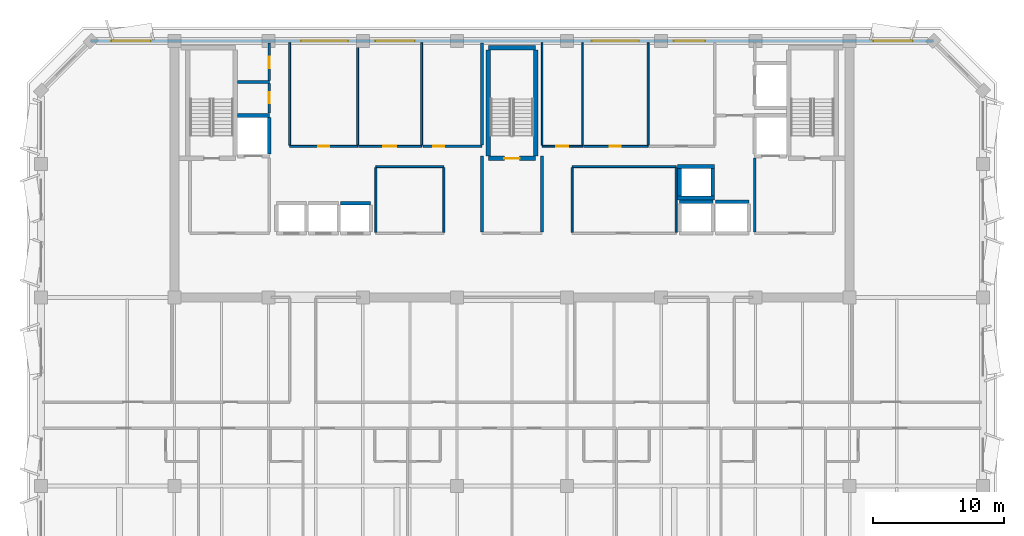
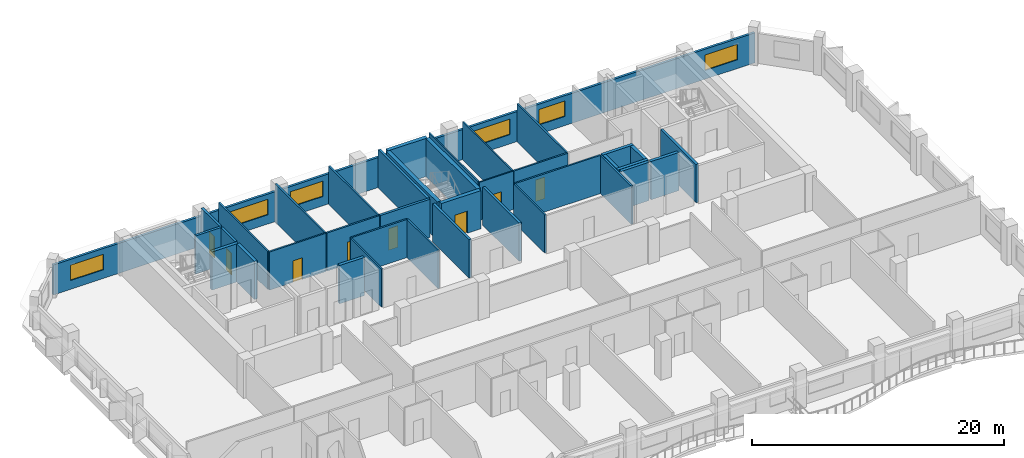
# One storey, part 6 of 11: 38 walls, 8 doors, 6 windows, 14 openings.
"""IFC4 building model written with IfcOpenShell, lengths in metres."""

import ifcopenshell
import ifcopenshell.guid

model = None  # the IFC model being written
_history = None  # IfcOwnerHistory: only IFC2X3 demands one
_inside = {}  # id of a spatial element -> (the spatial element, [elements in it])
_under = {}  # id of a project, library or spatial element -> (it, [spatial elements below it])
_declared = {}  # id of a project -> (the project, [libraries it declares])
_typed = {}  # id of a type object -> (the type object, [elements of that type])
_made_of = {}  # id of a material, layer set ... -> (it, [elements and type objects made of it])


def new_model(schema):
    """Start an empty IFC model of exactly this schema.

    Asked for "IFC4X3", IfcOpenShell would pick the latest addendum, in which some entities
    have other attributes; the version numbers below select the first issue.
    IFC2X3 requires an IfcOwnerHistory on every rooted entity: one is made here for all.
    """
    global model, _history
    if schema == "IFC4X3":
        model = ifcopenshell.file(schema_version=(4, 3, 0, 0))
    else:
        model = ifcopenshell.file(schema=schema)
    _inside.clear()
    _under.clear()
    _declared.clear()
    _typed.clear()
    _made_of.clear()
    _history = None
    if model.schema == "IFC2X3":
        org = make("IfcOrganization", Name="unknown")
        user = make(
            "IfcPersonAndOrganization",
            ThePerson=make("IfcPerson", FamilyName="unknown"),
            TheOrganization=org,
        )
        app = make(
            "IfcApplication",
            ApplicationDeveloper=org,
            Version="unknown",
            ApplicationFullName="unknown",
            ApplicationIdentifier="unknown",
        )
        _history = make(
            "IfcOwnerHistory",
            OwningUser=user,
            OwningApplication=app,
            ChangeAction="ADDED",
            CreationDate=0,
        )
    return model


def make(cls, **values):
    """One entity of the class cls with the attributes given. An attribute that is None is left unset."""
    return model.create_entity(
        cls, **{name: value for name, value in values.items() if value is not None}
    )


def rooted(cls, **values):
    """An entity with a GlobalId (a new one), such as an element, a storey or a relation."""
    return make(cls, GlobalId=ifcopenshell.guid.new(), OwnerHistory=_history, **values)


def si_unit(unit_type, name, prefix=None):
    """IfcSIUnit, for example si_unit("LENGTHUNIT", "METRE", prefix="MILLI")."""
    return make("IfcSIUnit", UnitType=unit_type, Prefix=prefix, Name=name)


def assignment(units):
    """IfcUnitAssignment: the units of a project."""
    return None if units is None else make("IfcUnitAssignment", Units=units)


def point(xyz):
    """IfcCartesianPoint."""
    return None if xyz is None else make("IfcCartesianPoint", Coordinates=xyz)


def direction(xyz):
    """IfcDirection."""
    return None if xyz is None else make("IfcDirection", DirectionRatios=xyz)


def frame(location, z_axis=None, x_axis=None):
    """IfcAxis2Placement3D, a coordinate frame: its origin and axes. An axis left out is left unset."""
    return make(
        "IfcAxis2Placement3D",
        Location=point(location),
        Axis=direction(z_axis),
        RefDirection=direction(x_axis),
    )


def frame_2d(location, x_axis=None):
    """IfcAxis2Placement2D, a coordinate frame in the plane: its origin and x axis."""
    return make(
        "IfcAxis2Placement2D", Location=point(location), RefDirection=direction(x_axis)
    )


def origin():
    """The frame at (0, 0, 0) with its axes left unset."""
    return frame((0.0, 0.0, 0.0))


def place(relative_to, where):
    """IfcLocalPlacement: puts the frame where relative to a parent placement (None: the world)."""
    return make(
        "IfcLocalPlacement", PlacementRelTo=relative_to, RelativePlacement=where
    )


def context(
    kind, dimensions, precision=None, world=None, true_north=None, identifier=None
):
    """IfcGeometricRepresentationContext, for example the 3D "Model" context."""
    return make(
        "IfcGeometricRepresentationContext",
        ContextIdentifier=identifier,
        ContextType=kind,
        CoordinateSpaceDimension=dimensions,
        Precision=precision,
        WorldCoordinateSystem=world,
        TrueNorth=true_north,
    )


def subcontext(parent, identifier, kind, view, scale=None):
    """IfcGeometricRepresentationSubContext, for example "Body" below "Model"."""
    return make(
        "IfcGeometricRepresentationSubContext",
        ContextIdentifier=identifier,
        ContextType=kind,
        ParentContext=parent,
        TargetScale=scale,
        TargetView=view,
    )


def project(units=None, contexts=None):
    """IfcProject with its units and contexts."""
    return rooted(
        "IfcProject",
        Name="project",
        RepresentationContexts=contexts,
        UnitsInContext=assignment(units),
    )


def spatial(cls, under=None, at=None, **own):
    """A site, building, storey or space (cls), placed at a placement, below another one or the project."""
    s = rooted(cls, ObjectPlacement=at, **own)
    if under is not None:
        _under.setdefault(under.id(), (under, []))[1].append(s)
    return s


def profile(cls, at=None, kind="AREA", **sizes):
    """A parametric profile (cls). Its sizes go by their IFC names, for example OverallWidth=200.0."""
    return make(cls, ProfileType=kind, Position=at, **sizes)


def rectangle(**sizes):
    """IfcRectangleProfileDef."""
    return profile("IfcRectangleProfileDef", **sizes)


def extrude(swept, where, along, depth):
    """IfcExtrudedAreaSolid: the profile swept, set in the frame where, extruded along a direction by depth."""
    return make(
        "IfcExtrudedAreaSolid",
        SweptArea=swept,
        Position=where,
        ExtrudedDirection=direction(along),
        Depth=depth,
    )


def shape(context_of_items, identifier, shape_type, items):
    """IfcShapeRepresentation: the items that make up one representation, for example the "Body"."""
    return make(
        "IfcShapeRepresentation",
        ContextOfItems=context_of_items,
        RepresentationIdentifier=identifier,
        RepresentationType=shape_type,
        Items=items,
    )


def material(Name=None, Category=None):
    """IfcMaterial."""
    return make("IfcMaterial", Name=Name, Category=Category)


def layer(
    of_material, thickness, ventilated=None, Name=None, Category=None, Priority=None
):
    """IfcMaterialLayer: one layer of a wall or slab, of a material (None: an air gap)."""
    return make(
        "IfcMaterialLayer",
        Material=of_material,
        LayerThickness=thickness,
        IsVentilated=ventilated,
        Name=Name,
        Category=Category,
        Priority=Priority,
    )


def layer_set(layers, Name=None):
    """IfcMaterialLayerSet."""
    return make("IfcMaterialLayerSet", MaterialLayers=layers, LayerSetName=Name)


def made_of(thing, what):
    """Note that an element or type object is made of a material, layer set ...; save() writes the relation."""
    if what is not None:
        _made_of.setdefault(what.id(), (what, []))[1].append(thing)
    return thing


def type_object(cls, material=None, **own):
    """A type object (cls), such as IfcWallType, which elements share."""
    return made_of(rooted(cls, **own), material)


def element(
    cls,
    number,
    at=None,
    inside=None,
    cuts=None,
    type_object=None,
    material=None,
    context=None,
    identifier="Body",
    shape_type=None,
    held_by="IfcProductDefinitionShape",
    body=None,
    shapes=None,
    **own,
):
    """One element of the class cls, such as IfcWall. Its Tag is "e" and its number.

    at: its placement. inside: the storey or other place that contains it. cuts: it is an
    opening in that element (IfcRelVoidsElement). A single representation is given by context,
    identifier, shape_type and body (its items); several are given by shapes. held_by: the class
    of the entity that holds the representations. save() writes the other relations.
    """
    e = rooted(cls, Tag="e%d" % number, ObjectPlacement=at, **own)
    if body is not None:
        shapes = [shape(context, identifier, shape_type, body)]
    if shapes is not None:
        e.Representation = make(held_by, Representations=shapes)
    if inside is not None:
        _inside.setdefault(inside.id(), (inside, []))[1].append(e)
    if cuts is not None:
        rooted(
            "IfcRelVoidsElement", RelatingBuildingElement=cuts, RelatedOpeningElement=e
        )
    if type_object is not None:
        _typed.setdefault(type_object.id(), (type_object, []))[1].append(e)
    return made_of(e, material)


def fill(opening, filler):
    """IfcRelFillsElement: the door or window that sits in an opening."""
    return rooted(
        "IfcRelFillsElement",
        RelatingOpeningElement=opening,
        RelatedBuildingElement=filler,
    )


def aggregate(whole, parts):
    """IfcRelAggregates: a whole, such as a stair, and the parts it consists of."""
    return rooted("IfcRelAggregates", RelatingObject=whole, RelatedObjects=parts)


def save(model, path):
    """Write the relations noted so far, then the file.

    IfcRelAggregates (storeys below a building ...), IfcRelContainedInSpatialStructure (elements
    in a storey), IfcRelDefinesByType, IfcRelAssociatesMaterial and IfcRelDeclares: one each for
    every whole, place, type object, material and project.
    """
    for whole, parts in _under.values():
        aggregate(whole, parts)
    for where, things in _inside.values():
        rooted(
            "IfcRelContainedInSpatialStructure",
            RelatedElements=things,
            RelatingStructure=where,
        )
    for kind, things in _typed.values():
        rooted("IfcRelDefinesByType", RelatedObjects=things, RelatingType=kind)
    for what, things in _made_of.values():
        rooted("IfcRelAssociatesMaterial", RelatedObjects=things, RelatingMaterial=what)
    for by, libraries in _declared.values():
        rooted("IfcRelDeclares", RelatingContext=by, RelatedDefinitions=libraries)
    model.write(path)


model = new_model("IFC4")

# Units and contexts
model_context = context("Model", 3, precision=1e-05, world=origin(), true_north=direction((0.0, 1.0)))
body_context = subcontext(model_context, "Body", "Model", "MODEL_VIEW")
ifc_project = project(units=[si_unit("LENGTHUNIT", "METRE"), si_unit("AREAUNIT", "SQUARE_METRE"), si_unit("VOLUMEUNIT", "CUBIC_METRE"), si_unit("PLANEANGLEUNIT", "RADIAN"), si_unit("MASSUNIT", "GRAM", prefix="KILO")], contexts=[model_context])

# Site, building, storey
site_placement = place(None, origin())
site = spatial("IfcSite", under=ifc_project, at=site_placement, CompositionType="ELEMENT")
building_placement = place(site_placement, origin())
building = spatial("IfcBuilding", under=site, at=building_placement, Name="Kaelvorn Grand Hotel", CompositionType="ELEMENT")
storey_placement = place(building_placement, frame((0.0, 0.0, 248.89990234375)))
storey = spatial("IfcBuildingStorey", under=building, at=storey_placement, Name="L61", CompositionType="ELEMENT", Elevation=248.89990234375)

# Wall, openings, windows
ifc_material_1 = material(Name="Concrete C40/50", Category="concrete")
ifc_layer_1 = layer(ifc_material_1, 0.219970703125)
ifc_layer_set_1 = layer_set([ifc_layer_1], Name="Concrete C40/50")
wall_type_1 = type_object("IfcWallType", Name="WL-EXT-220-C40", PredefinedType="SOLIDWALL", material=ifc_layer_set_1)
wall_1_placement = place(storey_placement, frame((74.199951171875, 49.0, 0.0), z_axis=(0.0, 0.0, 1.0), x_axis=(-1.0, 0.0, 0.0)))
wall_1 = element("IfcWall", 1, at=wall_1_placement, inside=storey, type_object=wall_type_1, Name="L61 Exterior Architectural Concrete Wall 05", PredefinedType="SOLIDWALL", context=body_context, shape_type="SweptSolid", body=[
    extrude(rectangle(XDim=64.39990234375, YDim=0.219970703125, at=frame_2d((32.199951171875, 0.0))), origin(), (0.0, 0.0, 1.0), 2.91015625),
])
opening_1_placement = place(wall_1_placement, frame((59.81494140625, 0.0, 0.85009765625)))
opening_1 = element("IfcOpeningElement", 2, at=opening_1_placement, cuts=wall_1, Name="Opening W5", PredefinedType="OPENING", context=body_context, shape_type="SweptSolid", body=[
    extrude(rectangle(XDim=3.0, YDim=1.5, at=frame_2d((1.5, 0.75))), frame((0.0, 0.1201171875, 0.0), z_axis=(0.0, -1.0, 0.0), x_axis=(1.0, 0.0, 0.0)), (0.0, 0.0, 1.0), 0.239990234375),
])
opening_2_placement = place(wall_1_placement, frame((1.5849609375, 0.0, 0.85009765625)))
opening_2 = element("IfcOpeningElement", 3, at=opening_2_placement, cuts=wall_1, Name="Opening W5", PredefinedType="OPENING", context=body_context, shape_type="SweptSolid", body=[
    extrude(rectangle(XDim=3.0, YDim=1.5, at=frame_2d((1.5, 0.75))), frame((0.0, 0.1201171875, 0.0), z_axis=(0.0, -1.0, 0.0), x_axis=(1.0, 0.0, 0.0)), (0.0, 0.0, 1.0), 0.239990234375),
])
opening_3_placement = place(wall_1_placement, frame((44.715087890625, 0.0, 0.89990234375)))
opening_3 = element("IfcOpeningElement", 4, at=opening_3_placement, cuts=wall_1, Name="Opening W3", PredefinedType="OPENING", context=body_context, shape_type="SweptSolid", body=[
    extrude(rectangle(XDim=3.60009765625, YDim=1.5, at=frame_2d((1.800048828125, 0.75))), frame((0.0, 0.1201171875, 0.0), z_axis=(0.0, -1.0, 0.0), x_axis=(1.0, 0.0, 0.0)), (0.0, 0.0, 1.0), 0.239990234375),
])
opening_4_placement = place(wall_1_placement, frame((39.64990234375, 0.0, 0.89990234375)))
opening_4 = element("IfcOpeningElement", 5, at=opening_4_placement, cuts=wall_1, Name="Opening W5", PredefinedType="OPENING", context=body_context, shape_type="SweptSolid", body=[
    extrude(rectangle(XDim=3.0, YDim=1.5, at=frame_2d((1.5, 0.75))), frame((0.0, 0.1201171875, 0.0), z_axis=(0.0, -1.0, 0.0), x_axis=(1.0, 0.0, 0.0)), (0.0, 0.0, 1.0), 0.239990234375),
])
opening_5_placement = place(wall_1_placement, frame((22.5, 0.0, 0.89990234375)))
opening_5 = element("IfcOpeningElement", 6, at=opening_5_placement, cuts=wall_1, Name="Opening W3", PredefinedType="OPENING", context=body_context, shape_type="SweptSolid", body=[
    extrude(rectangle(XDim=3.60009765625, YDim=1.5, at=frame_2d((1.800048828125, 0.75))), frame((0.0, 0.1201171875, 0.0), z_axis=(0.0, -1.0, 0.0), x_axis=(1.0, 0.0, 0.0)), (0.0, 0.0, 1.0), 0.239990234375),
])
opening_6_placement = place(wall_1_placement, frame((17.43505859375, 0.0, 0.89990234375)))
opening_6 = element("IfcOpeningElement", 7, at=opening_6_placement, cuts=wall_1, Name="Opening W6", PredefinedType="OPENING", context=body_context, shape_type="SweptSolid", body=[
    extrude(rectangle(XDim=2.39990234375, YDim=1.5, at=frame_2d((1.199951171875, 0.75))), frame((0.0, 0.1201171875, 0.0), z_axis=(0.0, -1.0, 0.0), x_axis=(1.0, 0.0, 0.0)), (0.0, 0.0, 1.0), 0.239990234375),
])
ifc_material_2 = material(Name="Laminated Low-E Glass", Category="glass")
window_type_1 = type_object("IfcWindowType", Name="WIN-NTH-2400x1500", PartitioningType="SINGLE_PANEL", PredefinedType="WINDOW", material=ifc_material_2)
window_1_placement = place(opening_6_placement, origin())
window_1 = element("IfcWindow", 8, at=window_1_placement, inside=storey, type_object=window_type_1, Name="L61 North Core Clerestory Ribbon Window NC06", OverallHeight=1.5, OverallWidth=2.39990234375, PartitioningType="SINGLE_PANEL", PredefinedType="WINDOW", context=body_context, shape_type="SweptSolid", body=[
    extrude(rectangle(XDim=2.39990234375, YDim=1.5, at=frame_2d((1.199951171875, 0.75))), frame((0.0, 0.030029296875, 0.0), z_axis=(0.0, -1.0, 0.0), x_axis=(1.0, 0.0, 0.0)), (0.0, 0.0, 1.0), 0.06005859375),
])
fill(opening_6, window_1)
window_type_2 = type_object("IfcWindowType", Name="WIN-NTH-3000x1500", PartitioningType="SINGLE_PANEL", PredefinedType="WINDOW", material=ifc_material_2)
window_2_placement = place(opening_1_placement, origin())
window_2 = element("IfcWindow", 9, at=window_2_placement, inside=storey, type_object=window_type_2, Name="L61 North Wing Ribbon Window NW01", OverallHeight=1.5, OverallWidth=3.0, PartitioningType="SINGLE_PANEL", PredefinedType="WINDOW", context=body_context, shape_type="SweptSolid", body=[
    extrude(rectangle(XDim=3.0, YDim=1.5, at=frame_2d((1.5, 0.75))), frame((0.0, 0.030029296875, 0.0), z_axis=(0.0, -1.0, 0.0), x_axis=(1.0, 0.0, 0.0)), (0.0, 0.0, 1.0), 0.06005859375),
])
fill(opening_1, window_2)
window_3_placement = place(opening_2_placement, origin())
window_3 = element("IfcWindow", 10, at=window_3_placement, inside=storey, type_object=window_type_2, Name="L61 North Wing Ribbon Window NW02", OverallHeight=1.5, OverallWidth=3.0, PartitioningType="SINGLE_PANEL", PredefinedType="WINDOW", context=body_context, shape_type="SweptSolid", body=[
    extrude(rectangle(XDim=3.0, YDim=1.5, at=frame_2d((1.5, 0.75))), frame((0.0, 0.030029296875, 0.0), z_axis=(0.0, -1.0, 0.0), x_axis=(1.0, 0.0, 0.0)), (0.0, 0.0, 1.0), 0.06005859375),
])
fill(opening_2, window_3)
window_4_placement = place(opening_4_placement, origin())
window_4 = element("IfcWindow", 11, at=window_4_placement, inside=storey, type_object=window_type_2, Name="L61 North Core Clerestory Ribbon Window NC04", OverallHeight=1.5, OverallWidth=3.0, PartitioningType="SINGLE_PANEL", PredefinedType="WINDOW", context=body_context, shape_type="SweptSolid", body=[
    extrude(rectangle(XDim=3.0, YDim=1.5, at=frame_2d((1.5, 0.75))), frame((0.0, 0.030029296875, 0.0), z_axis=(0.0, -1.0, 0.0), x_axis=(1.0, 0.0, 0.0)), (0.0, 0.0, 1.0), 0.06005859375),
])
fill(opening_4, window_4)
window_type_3 = type_object("IfcWindowType", Name="WIN-RIB-3600x1750", PartitioningType="SINGLE_PANEL", PredefinedType="WINDOW", material=ifc_material_2)
window_5_placement = place(opening_3_placement, origin())
window_5 = element("IfcWindow", 12, at=window_5_placement, inside=storey, type_object=window_type_3, Name="L61 North Core Clerestory Ribbon Window NC03", OverallHeight=1.5, OverallWidth=3.60009765625, PartitioningType="SINGLE_PANEL", PredefinedType="WINDOW", context=body_context, shape_type="SweptSolid", body=[
    extrude(rectangle(XDim=3.60009765625, YDim=1.5, at=frame_2d((1.800048828125, 0.75))), frame((0.0, 0.030029296875, 0.0), z_axis=(0.0, -1.0, 0.0), x_axis=(1.0, 0.0, 0.0)), (0.0, 0.0, 1.0), 0.06005859375),
])
fill(opening_3, window_5)
window_6_placement = place(opening_5_placement, origin())
window_6 = element("IfcWindow", 13, at=window_6_placement, inside=storey, type_object=window_type_3, Name="L61 North Core Clerestory Ribbon Window NC05", OverallHeight=1.5, OverallWidth=3.60009765625, PartitioningType="SINGLE_PANEL", PredefinedType="WINDOW", context=body_context, shape_type="SweptSolid", body=[
    extrude(rectangle(XDim=3.60009765625, YDim=1.5, at=frame_2d((1.800048828125, 0.75))), frame((0.0, 0.030029296875, 0.0), z_axis=(0.0, -1.0, 0.0), x_axis=(1.0, 0.0, 0.0)), (0.0, 0.0, 1.0), 0.06005859375),
])
fill(opening_5, window_6)

# Wall, opening, door
ifc_material_3 = material(Name="Moisture-Resistant Tile & Stud Board")
ifc_layer_2 = layer(ifc_material_3, 0.125)
ifc_layer_set_2 = layer_set([ifc_layer_2], Name="Moisture-Resistant Tile & Stud Board")
wall_type_2 = type_object("IfcWallType", Name="WL-PART-125-WET", PredefinedType="PARTITIONING", material=ifc_layer_set_2)
wall_2_placement = place(storey_placement, frame((44.300048828125, 40.949951171875, 0.0), z_axis=(0.0, 0.0, 1.0), x_axis=(1.0, 0.0, 0.0)))
wall_2 = element("IfcWall", 14, at=wall_2_placement, inside=storey, type_object=wall_type_2, Name="L61 Accessible WC S Partition", PredefinedType="PARTITIONING", context=body_context, shape_type="SweptSolid", body=[
    extrude(rectangle(XDim=3.099853515625, YDim=0.125, at=frame_2d((1.5498046875, 0.0))), origin(), (0.0, 0.0, 1.0), 3.710205078125),
])
opening_7_placement = place(wall_2_placement, frame((1.10009765625, 0.0, 0.0)))
opening_7 = element("IfcOpeningElement", 15, at=opening_7_placement, cuts=wall_2, Name="Opening DI4", PredefinedType="OPENING", context=body_context, shape_type="SweptSolid", body=[
    extrude(rectangle(XDim=0.89990234375, YDim=2.10009765625, at=frame_2d((0.449951171875, 1.050048828125))), frame((0.0, 0.072509765625, 0.0), z_axis=(0.0, -1.0, 0.0), x_axis=(1.0, 0.0, 0.0)), (0.0, 0.0, 1.0), 0.14501953125),
])
ifc_material_4 = material(Name="Timber Veneer Leaf", Category="wood")
door_type_1 = type_object("IfcDoorType", Name="DR-INT-BATH-900x2100", OperationType="NOTDEFINED", PredefinedType="DOOR", material=ifc_material_4)
door_1_placement = place(opening_7_placement, origin())
door_1 = element("IfcDoor", 16, at=door_1_placement, inside=storey, type_object=door_type_1, Name="L61 Accessible WC Door", OperationType="SINGLE_SWING_LEFT", OverallHeight=2.10009765625, OverallWidth=0.89990234375, PredefinedType="DOOR", context=body_context, shape_type="SweptSolid", body=[
    extrude(rectangle(XDim=0.89990234375, YDim=2.10009765625, at=frame_2d((0.449951171875, 1.050048828125))), frame((0.0, 0.02490234375, 0.0), z_axis=(0.0, -1.0, 0.0), x_axis=(1.0, 0.0, 0.0)), (0.0, 0.0, 1.0), 0.050048828125),
])
fill(opening_7, door_1)

# Walls
for number, where, z_axis, x_axis, name in (
    (17, (44.300048828125, 41.017578125, 0.0), (0.0, 0.0, 1.0), (0.0, 1.0, 0.0), "L61 Accessible WC W Partition"),
    (18, (47.39990234375, 41.017578125, 0.0), (0.0, 0.0, 1.0), (0.0, 1.0, 0.0), "L61 Accessible WC E Partition"),
):
    element("IfcWall", number, at=place(storey_placement, frame(where, z_axis=z_axis, x_axis=x_axis)), inside=storey, type_object=wall_type_2, Name=name, PredefinedType="PARTITIONING", context=body_context, shape_type="SweptSolid", body=[
        extrude(rectangle(XDim=7.83251953125, YDim=0.125, at=frame_2d((3.916259765625, 0.0))), origin(), (0.0, 0.0, 1.0), 3.710205078125),
    ])
ifc_material_5 = material(Name="Acoustic Gypsum & Stud Partition")
ifc_layer_3 = layer(ifc_material_5, 0.14990234375)
ifc_layer_set_3 = layer_set([ifc_layer_3], Name="Acoustic Gypsum & Stud Partition")
wall_type_3 = type_object("IfcWallType", Name="WL-PART-150-EI60", PredefinedType="PARTITIONING", material=ifc_layer_set_3)
wall_3_placement = place(storey_placement, frame((31.60009765625, 39.39990234375, 0.0), z_axis=(0.0, 0.0, 1.0), x_axis=(1.0, 0.0, 0.0)))
element("IfcWall", 19, at=wall_3_placement, inside=storey, type_object=wall_type_3, Name="L61 Core Telecoms & BMS Server Room N Partition", PredefinedType="PARTITIONING", context=body_context, shape_type="SweptSolid", body=[
    extrude(rectangle(XDim=5.199951171875, YDim=0.14990234375, at=frame_2d((2.60009765625, 0.0))), origin(), (0.0, 0.0, 1.0), 3.710205078125),
])
for number, where, z_axis, x_axis, name in (
    (20, (31.60009765625, 34.3798828125, 0.0), (0.0, 0.0, 1.0), (0.0, 1.0, 0.0), "L61 Core Telecoms & BMS Server Room W Partition"),
    (21, (36.800048828125, 34.3798828125, 0.0), (0.0, 0.0, 1.0), (0.0, 1.0, 0.0), "L61 Core Telecoms & BMS Server Room E Partition"),
):
    element("IfcWall", number, at=place(storey_placement, frame(where, z_axis=z_axis, x_axis=x_axis)), inside=storey, type_object=wall_type_3, Name=name, PredefinedType="PARTITIONING", context=body_context, shape_type="SweptSolid", body=[
        extrude(rectangle(XDim=4.940185546875, YDim=0.14990234375, at=frame_2d((2.47021484375, 0.0))), origin(), (0.0, 0.0, 1.0), 3.710205078125),
    ])
wall_4_placement = place(storey_placement, frame((46.60009765625, 39.39990234375, 0.0), z_axis=(0.0, 0.0, 1.0), x_axis=(1.0, 0.0, 0.0)))
element("IfcWall", 22, at=wall_4_placement, inside=storey, type_object=wall_type_3, Name="L61 Sky Concierge & Butler Pantry Lounge N Partition", PredefinedType="PARTITIONING", context=body_context, shape_type="SweptSolid", body=[
    extrude(rectangle(XDim=7.949951171875, YDim=0.14990234375, at=frame_2d((3.97509765625, 0.0))), origin(), (0.0, 0.0, 1.0), 3.710205078125),
])
for number, where, z_axis, x_axis, name in (
    (23, (46.60009765625, 34.3798828125, 0.0), (0.0, 0.0, 1.0), (0.0, 1.0, 0.0), "L61 Sky Concierge & Butler Pantry Lounge W Partition"),
    (24, (54.550048828125, 34.3798828125, 0.0), (0.0, 0.0, 1.0), (0.0, 1.0, 0.0), "L61 Sky Concierge & Butler Pantry Lounge E Partition"),
):
    element("IfcWall", number, at=place(storey_placement, frame(where, z_axis=z_axis, x_axis=x_axis)), inside=storey, type_object=wall_type_3, Name=name, PredefinedType="PARTITIONING", context=body_context, shape_type="SweptSolid", body=[
        extrude(rectangle(XDim=4.940185546875, YDim=0.14990234375, at=frame_2d((2.47021484375, 0.0))), origin(), (0.0, 0.0, 1.0), 3.710205078125),
    ])

# Wall, opening, door
wall_5_placement = place(storey_placement, frame((25.0, 40.949951171875, 0.0), z_axis=(0.0, 0.0, 1.0), x_axis=(1.0, 0.0, 0.0)))
wall_5 = element("IfcWall", 25, at=wall_5_placement, inside=storey, type_object=wall_type_3, Name="L61 Housekeeping & Linen Room S Partition", PredefinedType="PARTITIONING", context=body_context, shape_type="SweptSolid", body=[
    extrude(rectangle(XDim=5.199951171875, YDim=0.14990234375, at=frame_2d((2.60009765625, 0.0))), origin(), (0.0, 0.0, 1.0), 3.710205078125),
])
opening_8_placement = place(wall_5_placement, frame((2.175048828125, 0.0, 0.0)))
opening_8 = element("IfcOpeningElement", 26, at=opening_8_placement, cuts=wall_5, Name="Opening DI7", PredefinedType="OPENING", context=body_context, shape_type="SweptSolid", body=[
    extrude(rectangle(XDim=0.85009765625, YDim=2.10009765625, at=frame_2d((0.425048828125, 1.050048828125))), frame((0.0, 0.0849609375, 0.0), z_axis=(0.0, -1.0, 0.0), x_axis=(1.0, 0.0, 0.0)), (0.0, 0.0, 1.0), 0.169921875),
])
ifc_material_6 = material(Name="Powder-Coated Steel Leaf", Category="steel")
door_type_2 = type_object("IfcDoorType", Name="DR-INT-RISER-850x2100", OperationType="NOTDEFINED", PredefinedType="DOOR", material=ifc_material_6)
door_2_placement = place(opening_8_placement, origin())
door_2 = element("IfcDoor", 27, at=door_2_placement, inside=storey, type_object=door_type_2, Name="L61 Housekeeping & Linen Room Door", OperationType="SINGLE_SWING_RIGHT", OverallHeight=2.10009765625, OverallWidth=0.85009765625, PredefinedType="DOOR", context=body_context, shape_type="SweptSolid", body=[
    extrude(rectangle(XDim=0.85009765625, YDim=2.10009765625, at=frame_2d((0.425048828125, 1.050048828125))), frame((0.0, 0.02490234375, 0.0), z_axis=(0.0, -1.0, 0.0), x_axis=(1.0, 0.0, 0.0)), (0.0, 0.0, 1.0), 0.050048828125),
])
fill(opening_8, door_2)

# Walls
for number, where, z_axis, x_axis, name in (
    (28, (25.0, 41.030029296875, 0.0), (0.0, 0.0, 1.0), (0.0, 1.0, 0.0), "L61 Housekeeping & Linen Room W Partition"),
    (29, (30.199951171875, 41.030029296875, 0.0), (0.0, 0.0, 1.0), (0.0, 1.0, 0.0), "L61 Housekeeping & Linen Room E Partition"),
):
    element("IfcWall", number, at=place(storey_placement, frame(where, z_axis=z_axis, x_axis=x_axis)), inside=storey, type_object=wall_type_3, Name=name, PredefinedType="PARTITIONING", context=body_context, shape_type="SweptSolid", body=[
        extrude(rectangle(XDim=7.820068359375, YDim=0.14990234375, at=frame_2d((3.91015625, 0.0))), origin(), (0.0, 0.0, 1.0), 3.710205078125),
    ])

# Wall, opening, door
wall_6_placement = place(storey_placement, frame((30.280029296875, 40.949951171875, 0.0), z_axis=(0.0, 0.0, 1.0), x_axis=(1.0, 0.0, 0.0)))
wall_6 = element("IfcWall", 30, at=wall_6_placement, inside=storey, type_object=wall_type_3, Name="L61 Room Service Servery Pantry S Partition", PredefinedType="PARTITIONING", context=body_context, shape_type="SweptSolid", body=[
    extrude(rectangle(XDim=4.820068359375, YDim=0.14990234375, at=frame_2d((2.41015625, 0.0))), origin(), (0.0, 0.0, 1.0), 3.710205078125),
])
opening_9_placement = place(wall_6_placement, frame((1.8701171875, 0.0, 0.0)))
opening_9 = element("IfcOpeningElement", 31, at=opening_9_placement, cuts=wall_6, Name="Opening DI3", PredefinedType="OPENING", context=body_context, shape_type="SweptSolid", body=[
    extrude(rectangle(XDim=1.0, YDim=2.14990234375, at=frame_2d((0.5, 1.074951171875))), frame((0.0, 0.0849609375, 0.0), z_axis=(0.0, -1.0, 0.0), x_axis=(1.0, 0.0, 0.0)), (0.0, 0.0, 1.0), 0.169921875),
])
ifc_material_7 = material(Name="Timber Veneer Fire Leaf", Category="wood")
door_type_3 = type_object("IfcDoorType", Name="DR-INT-GUEST-1000x2150", OperationType="NOTDEFINED", PredefinedType="DOOR", material=ifc_material_7)
door_3_placement = place(opening_9_placement, origin())
door_3 = element("IfcDoor", 32, at=door_3_placement, inside=storey, type_object=door_type_3, Name="L61 Room Service Servery Pantry Door", OperationType="SINGLE_SWING_LEFT", OverallHeight=2.14990234375, OverallWidth=1.0, PredefinedType="DOOR", context=body_context, shape_type="SweptSolid", body=[
    extrude(rectangle(XDim=1.0, YDim=2.14990234375, at=frame_2d((0.5, 1.074951171875))), frame((0.0, 0.02490234375, 0.0), z_axis=(0.0, -1.0, 0.0), x_axis=(1.0, 0.0, 0.0)), (0.0, 0.0, 1.0), 0.050048828125),
])
fill(opening_9, door_3)

# Wall
wall_7_placement = place(storey_placement, frame((35.10009765625, 41.030029296875, 0.0), z_axis=(0.0, 0.0, 1.0), x_axis=(0.0, 1.0, 0.0)))
element("IfcWall", 33, at=wall_7_placement, inside=storey, type_object=wall_type_3, Name="L61 Room Service Servery Pantry E Partition", PredefinedType="PARTITIONING", context=body_context, shape_type="SweptSolid", body=[
    extrude(rectangle(XDim=7.820068359375, YDim=0.14990234375, at=frame_2d((3.91015625, 0.0))), origin(), (0.0, 0.0, 1.0), 3.710205078125),
])

# Wall, opening, door
wall_8_placement = place(storey_placement, frame((47.467529296875, 40.949951171875, 0.0), z_axis=(0.0, 0.0, 1.0), x_axis=(1.0, 0.0, 0.0)))
wall_8 = element("IfcWall", 34, at=wall_8_placement, inside=storey, type_object=wall_type_3, Name="L61 Valet & Luggage Store S Partition", PredefinedType="PARTITIONING", context=body_context, shape_type="SweptSolid", body=[
    extrude(rectangle(XDim=4.932373046875, YDim=0.14990234375, at=frame_2d((2.46630859375, 0.0))), origin(), (0.0, 0.0, 1.0), 3.710205078125),
])
opening_10_placement = place(wall_8_placement, frame((2.007568359375, 0.0, 0.0)))
opening_10 = element("IfcOpeningElement", 35, at=opening_10_placement, cuts=wall_8, Name="Opening DI7", PredefinedType="OPENING", context=body_context, shape_type="SweptSolid", body=[
    extrude(rectangle(XDim=0.85009765625, YDim=2.10009765625, at=frame_2d((0.425048828125, 1.050048828125))), frame((0.0, 0.0849609375, 0.0), z_axis=(0.0, -1.0, 0.0), x_axis=(1.0, 0.0, 0.0)), (0.0, 0.0, 1.0), 0.169921875),
])
door_4_placement = place(opening_10_placement, origin())
door_4 = element("IfcDoor", 36, at=door_4_placement, inside=storey, type_object=door_type_2, Name="L61 Valet & Luggage Store Door", OperationType="SINGLE_SWING_RIGHT", OverallHeight=2.10009765625, OverallWidth=0.85009765625, PredefinedType="DOOR", context=body_context, shape_type="SweptSolid", body=[
    extrude(rectangle(XDim=0.85009765625, YDim=2.10009765625, at=frame_2d((0.425048828125, 1.050048828125))), frame((0.0, 0.02490234375, 0.0), z_axis=(0.0, -1.0, 0.0), x_axis=(1.0, 0.0, 0.0)), (0.0, 0.0, 1.0), 0.050048828125),
])
fill(opening_10, door_4)

# Walls
wall_9_placement = place(storey_placement, frame((52.39990234375, 41.030029296875, 0.0), z_axis=(0.0, 0.0, 1.0), x_axis=(0.0, 1.0, 0.0)))
element("IfcWall", 37, at=wall_9_placement, inside=storey, type_object=wall_type_3, Name="L61 Valet & Luggage Store E Partition", PredefinedType="PARTITIONING", context=body_context, shape_type="SweptSolid", body=[
    extrude(rectangle(XDim=7.820068359375, YDim=0.14990234375, at=frame_2d((3.91015625, 0.0))), origin(), (0.0, 0.0, 1.0), 3.710205078125),
])
ifc_layer_4 = layer(ifc_material_1, 0.219970703125)
ifc_layer_set_4 = layer_set([ifc_layer_4], Name="Concrete C40/50")
wall_type_4 = type_object("IfcWallType", Name="WL-PART-220-EI120", PredefinedType="PARTITIONING", material=ifc_layer_set_4)
wall_10_placement = place(storey_placement, frame((60.550048828125, 34.4150390625, 0.0), z_axis=(0.0, 0.0, 1.0), x_axis=(0.0, 1.0, 0.0)))
element("IfcWall", 38, at=wall_10_placement, inside=storey, type_object=wall_type_4, Name="L61 Firefighting Lift Lobby 2 W Partition", PredefinedType="PARTITIONING", context=body_context, shape_type="SweptSolid", body=[
    extrude(rectangle(XDim=5.639892578125, YDim=0.219970703125, at=frame_2d((2.81982421875, 0.0))), origin(), (0.0, 0.0, 1.0), 3.710205078125),
])
for number, where, z_axis, x_axis, name in (
    (39, (39.699951171875, 34.4150390625, 0.0), (0.0, 0.0, 1.0), (0.0, 1.0, 0.0), "L61 Central Stair Escape Vestibule W Partition"),
    (40, (44.300048828125, 34.4150390625, 0.0), (0.0, 0.0, 1.0), (0.0, 1.0, 0.0), "L61 Central Stair Escape Vestibule E Partition"),
):
    element("IfcWall", number, at=place(storey_placement, frame(where, z_axis=z_axis, x_axis=x_axis)), inside=storey, type_object=wall_type_4, Name=name, PredefinedType="PARTITIONING", context=body_context, shape_type="SweptSolid", body=[
        extrude(rectangle(XDim=5.784912109375, YDim=0.219970703125, at=frame_2d((2.892578125, 0.0))), origin(), (0.0, 0.0, 1.0), 3.710205078125),
    ])
wall_11_placement = place(storey_placement, frame((21.034912109375, 45.85009765625, 0.0), z_axis=(0.0, 0.0, 1.0), x_axis=(1.0, 0.0, 0.0)))
element("IfcWall", 41, at=wall_11_placement, inside=storey, type_object=wall_type_4, Name="L61 Wet Fire & Plumbing Riser Shaft N Partition", PredefinedType="PARTITIONING", context=body_context, shape_type="SweptSolid", body=[
    extrude(rectangle(XDim=2.4150390625, YDim=0.219970703125, at=frame_2d((1.20751953125, 0.0))), origin(), (0.0, 0.0, 1.0), 3.710205078125),
])

# Wall, opening, door
wall_12_placement = place(storey_placement, frame((23.449951171875, 43.5, 0.0), z_axis=(0.0, 0.0, 1.0), x_axis=(0.0, 1.0, 0.0)))
wall_12 = element("IfcWall", 42, at=wall_12_placement, inside=storey, type_object=wall_type_4, Name="L61 Wet Fire & Plumbing Riser Shaft E Partition", PredefinedType="PARTITIONING", context=body_context, shape_type="SweptSolid", body=[
    extrude(rectangle(XDim=2.235107421875, YDim=0.219970703125, at=frame_2d((1.11767578125, 0.0))), origin(), (0.0, 0.0, 1.0), 3.710205078125),
])
opening_11_placement = place(wall_12_placement, frame((0.72509765625, 0.0, 0.0)))
opening_11 = element("IfcOpeningElement", 43, at=opening_11_placement, cuts=wall_12, Name="Opening DI7", PredefinedType="OPENING", context=body_context, shape_type="SweptSolid", body=[
    extrude(rectangle(XDim=0.85009765625, YDim=2.10009765625, at=frame_2d((0.425048828125, 1.050048828125))), frame((0.0, 0.1201171875, 0.0), z_axis=(0.0, -1.0, 0.0), x_axis=(1.0, 0.0, 0.0)), (0.0, 0.0, 1.0), 0.239990234375),
])
door_5_placement = place(opening_11_placement, origin())
door_5 = element("IfcDoor", 44, at=door_5_placement, inside=storey, type_object=door_type_2, Name="L61 Wet Fire & Plumbing Riser Shaft Door", OperationType="SINGLE_SWING_RIGHT", OverallHeight=2.10009765625, OverallWidth=0.85009765625, PredefinedType="DOOR", context=body_context, shape_type="SweptSolid", body=[
    extrude(rectangle(XDim=0.85009765625, YDim=2.10009765625, at=frame_2d((0.425048828125, 1.050048828125))), frame((0.0, 0.02490234375, 0.0), z_axis=(0.0, -1.0, 0.0), x_axis=(1.0, 0.0, 0.0)), (0.0, 0.0, 1.0), 0.050048828125),
])
fill(opening_11, door_5)

wall_13_placement = place(storey_placement, frame((23.449951171875, 45.965087890625, 0.0), z_axis=(0.0, 0.0, 1.0), x_axis=(0.0, 1.0, 0.0)))
wall_13 = element("IfcWall", 45, at=wall_13_placement, inside=storey, type_object=wall_type_4, Name="L61 HV Electrical & Smoke Riser E Partition", PredefinedType="PARTITIONING", context=body_context, shape_type="SweptSolid", body=[
    extrude(rectangle(XDim=2.885009765625, YDim=0.219970703125, at=frame_2d((1.4423828125, 0.0))), origin(), (0.0, 0.0, 1.0), 3.710205078125),
])
opening_12_placement = place(wall_13_placement, frame((0.9599609375, 0.0, 0.0)))
opening_12 = element("IfcOpeningElement", 46, at=opening_12_placement, cuts=wall_13, Name="Opening DI7", PredefinedType="OPENING", context=body_context, shape_type="SweptSolid", body=[
    extrude(rectangle(XDim=0.85009765625, YDim=2.10009765625, at=frame_2d((0.425048828125, 1.050048828125))), frame((0.0, 0.1201171875, 0.0), z_axis=(0.0, -1.0, 0.0), x_axis=(1.0, 0.0, 0.0)), (0.0, 0.0, 1.0), 0.239990234375),
])
door_6_placement = place(opening_12_placement, origin())
door_6 = element("IfcDoor", 47, at=door_6_placement, inside=storey, type_object=door_type_2, Name="L61 HV Electrical & Smoke Riser Door", OperationType="SINGLE_SWING_LEFT", OverallHeight=2.10009765625, OverallWidth=0.85009765625, PredefinedType="DOOR", context=body_context, shape_type="SweptSolid", body=[
    extrude(rectangle(XDim=0.85009765625, YDim=2.10009765625, at=frame_2d((0.425048828125, 1.050048828125))), frame((0.0, 0.02490234375, 0.0), z_axis=(0.0, -1.0, 0.0), x_axis=(1.0, 0.0, 0.0)), (0.0, 0.0, 1.0), 0.050048828125),
])
fill(opening_12, door_6)

wall_14_placement = place(storey_placement, frame((35.179931640625, 40.949951171875, 0.0), z_axis=(0.0, 0.0, 1.0), x_axis=(1.0, 0.0, 0.0)))
wall_14 = element("IfcWall", 48, at=wall_14_placement, inside=storey, type_object=wall_type_4, Name="L61 Floor Electrical Switchroom S Partition", PredefinedType="PARTITIONING", context=body_context, shape_type="SweptSolid", body=[
    extrude(rectangle(XDim=4.52001953125, YDim=0.219970703125, at=frame_2d((2.260009765625, 0.0))), origin(), (0.0, 0.0, 1.0), 3.710205078125),
])
opening_13_placement = place(wall_14_placement, frame((0.794921875, 0.0, 0.0)))
opening_13 = element("IfcOpeningElement", 49, at=opening_13_placement, cuts=wall_14, Name="Opening DI7", PredefinedType="OPENING", context=body_context, shape_type="SweptSolid", body=[
    extrude(rectangle(XDim=0.85009765625, YDim=2.10009765625, at=frame_2d((0.425048828125, 1.050048828125))), frame((0.0, 0.1201171875, 0.0), z_axis=(0.0, -1.0, 0.0), x_axis=(1.0, 0.0, 0.0)), (0.0, 0.0, 1.0), 0.239990234375),
])
door_7_placement = place(opening_13_placement, origin())
door_7 = element("IfcDoor", 50, at=door_7_placement, inside=storey, type_object=door_type_2, Name="L61 Floor Electrical Switchroom Door", OperationType="SINGLE_SWING_RIGHT", OverallHeight=2.10009765625, OverallWidth=0.85009765625, PredefinedType="DOOR", context=body_context, shape_type="SweptSolid", body=[
    extrude(rectangle(XDim=0.85009765625, YDim=2.10009765625, at=frame_2d((0.425048828125, 1.050048828125))), frame((0.0, 0.02490234375, 0.0), z_axis=(0.0, -1.0, 0.0), x_axis=(1.0, 0.0, 0.0)), (0.0, 0.0, 1.0), 0.050048828125),
])
fill(opening_13, door_7)

# Walls
wall_15_placement = place(storey_placement, frame((39.699951171875, 41.06494140625, 0.0), z_axis=(0.0, 0.0, 1.0), x_axis=(0.0, 1.0, 0.0)))
element("IfcWall", 51, at=wall_15_placement, inside=storey, type_object=wall_type_4, Name="L61 Floor Electrical Switchroom E Partition", PredefinedType="PARTITIONING", context=body_context, shape_type="SweptSolid", body=[
    extrude(rectangle(XDim=7.78515625, YDim=0.219970703125, at=frame_2d((3.892578125, 0.0))), origin(), (0.0, 0.0, 1.0), 3.710205078125),
])
ifc_material_8 = material(Name="Concrete C50/60", Category="concrete")
ifc_layer_5 = layer(ifc_material_8, 0.280029296875)
ifc_layer_set_5 = layer_set([ifc_layer_5], Name="Concrete C50/60")
wall_type_5 = type_object("IfcWallType", Name="WL-SHAFT-280-C50", PredefinedType="SHEAR", material=ifc_layer_set_5)
wall_16_placement = place(storey_placement, frame((28.89990234375, 36.60009765625, 0.0), z_axis=(0.0, 0.0, 1.0), x_axis=(1.0, 0.0, 0.0)))
element("IfcWall", 52, at=wall_16_placement, inside=storey, type_object=wall_type_5, Name="L61 Lift PL-H3 Shaft North Wall", PredefinedType="SHEAR", context=body_context, shape_type="SweptSolid", body=[
    extrude(rectangle(XDim=2.300048828125, YDim=0.280029296875, at=frame_2d((1.14990234375, 0.0))), origin(), (0.0, 0.0, 1.0), 3.710205078125),
])
for number, where, z_axis, x_axis, name in (
    (53, (54.800048828125, 36.699951171875, 0.0), (0.0, 0.0, 1.0), (1.0, 0.0, 0.0), "L61 Lift OL-1 Shaft North Wall"),
    (54, (57.550048828125, 36.699951171875, 0.0), (0.0, 0.0, 1.0), (1.0, 0.0, 0.0), "L61 Lift OL-2 Shaft North Wall"),
):
    element("IfcWall", number, at=place(storey_placement, frame(where, z_axis=z_axis, x_axis=x_axis)), inside=storey, type_object=wall_type_5, Name=name, PredefinedType="SHEAR", context=body_context, shape_type="SweptSolid", body=[
        extrude(rectangle(XDim=2.550048828125, YDim=0.280029296875, at=frame_2d((1.27490234375, 0.0))), origin(), (0.0, 0.0, 1.0), 3.710205078125),
    ])
for number, where, z_axis, x_axis, name in (
    (55, (54.659912109375, 37.0, 0.0), (0.0, 0.0, 1.0), (1.0, 0.0, 0.0), "L61 Lift OL-3 Shaft South Wall"),
    (56, (54.659912109375, 39.39990234375, 0.0), (0.0, 0.0, 1.0), (1.0, 0.0, 0.0), "L61 Lift OL-3 Shaft North Wall"),
):
    element("IfcWall", number, at=place(storey_placement, frame(where, z_axis=z_axis, x_axis=x_axis)), inside=storey, type_object=wall_type_5, Name=name, PredefinedType="SHEAR", context=body_context, shape_type="SweptSolid", body=[
        extrude(rectangle(XDim=2.830078125, YDim=0.280029296875, at=frame_2d((1.4150390625, 0.0))), origin(), (0.0, 0.0, 1.0), 3.710205078125),
    ])
for number, where, z_axis, x_axis, name in (
    (57, (54.800048828125, 37.14501953125, 0.0), (0.0, 0.0, 1.0), (0.0, 1.0, 0.0), "L61 Lift OL-3 Shaft West Wall"),
    (58, (57.35009765625, 37.14501953125, 0.0), (0.0, 0.0, 1.0), (0.0, 1.0, 0.0), "L61 Lift OL-3 Shaft East Wall"),
):
    element("IfcWall", number, at=place(storey_placement, frame(where, z_axis=z_axis, x_axis=x_axis)), inside=storey, type_object=wall_type_5, Name=name, PredefinedType="SHEAR", context=body_context, shape_type="SweptSolid", body=[
        extrude(rectangle(XDim=2.10986328125, YDim=0.280029296875, at=frame_2d((1.054931640625, 0.0))), origin(), (0.0, 0.0, 1.0), 3.710205078125),
    ])
wall_17_placement = place(storey_placement, frame((21.034912109375, 43.300048828125, 0.0), z_axis=(0.0, 0.0, 1.0), x_axis=(1.0, 0.0, 0.0)))
element("IfcWall", 59, at=wall_17_placement, inside=storey, type_object=wall_type_5, Name="L61 Lift FFL1 Shaft North Wall", PredefinedType="SHEAR", context=body_context, shape_type="SweptSolid", body=[
    extrude(rectangle(XDim=2.4150390625, YDim=0.280029296875, at=frame_2d((1.20751953125, 0.0))), origin(), (0.0, 0.0, 1.0), 3.710205078125),
])
wall_18_placement = place(storey_placement, frame((23.449951171875, 40.344970703125, 0.0), z_axis=(0.0, 0.0, 1.0), x_axis=(0.0, 1.0, 0.0)))
element("IfcWall", 60, at=wall_18_placement, inside=storey, type_object=wall_type_5, Name="L61 Lift FFL1 Shaft East Wall", PredefinedType="SHEAR", context=body_context, shape_type="SweptSolid", body=[
    extrude(rectangle(XDim=2.81005859375, YDim=0.280029296875, at=frame_2d((1.405029296875, 0.0))), origin(), (0.0, 0.0, 1.0), 3.710205078125),
])

# Wall, opening, door
ifc_material_9 = material(Name="Concrete C60/75", Category="concrete")
ifc_layer_6 = layer(ifc_material_9, 0.35009765625)
ifc_layer_set_6 = layer_set([ifc_layer_6], Name="Concrete C60/75")
wall_type_6 = type_object("IfcWallType", Name="WL-SHAFT-350-C60", PredefinedType="SHEAR", material=ifc_layer_set_6)
wall_19_placement = place(storey_placement, frame((40.18505859375, 40.02490234375, 0.0), z_axis=(0.0, 0.0, 1.0), x_axis=(1.0, 0.0, 0.0)))
wall_19 = element("IfcWall", 61, at=wall_19_placement, inside=storey, type_object=wall_type_6, Name="L61 ST2 Stair Shaft South Wall", PredefinedType="SHEAR", context=body_context, shape_type="SweptSolid", body=[
    extrude(rectangle(XDim=3.6298828125, YDim=0.35009765625, at=frame_2d((1.81494140625, 0.0))), origin(), (0.0, 0.0, 1.0), 3.710205078125),
])
opening_14_placement = place(wall_19_placement, frame((1.239990234375, 0.0, 0.0)))
opening_14 = element("IfcOpeningElement", 62, at=opening_14_placement, cuts=wall_19, Name="Opening DI1", PredefinedType="OPENING", context=body_context, shape_type="SweptSolid", body=[
    extrude(rectangle(XDim=1.14990234375, YDim=2.14990234375, at=frame_2d((0.574951171875, 1.074951171875))), frame((0.0, 0.18505859375, 0.0), z_axis=(0.0, -1.0, 0.0), x_axis=(1.0, 0.0, 0.0)), (0.0, 0.0, 1.0), 0.3701171875),
])
door_type_4 = type_object("IfcDoorType", Name="DR-INT-STAIR-1150x2150", OperationType="NOTDEFINED", PredefinedType="DOOR", material=ifc_material_7)
door_8_placement = place(opening_14_placement, origin())
door_8 = element("IfcDoor", 63, at=door_8_placement, inside=storey, type_object=door_type_4, Name="L61 ST2 Exit Stair Fire Door", OperationType="SINGLE_SWING_RIGHT", OverallHeight=2.14990234375, OverallWidth=1.14990234375, PredefinedType="DOOR", context=body_context, shape_type="SweptSolid", body=[
    extrude(rectangle(XDim=1.14990234375, YDim=2.14990234375, at=frame_2d((0.574951171875, 1.074951171875))), frame((0.0, 0.02490234375, 0.0), z_axis=(0.0, -1.0, 0.0), x_axis=(1.0, 0.0, 0.0)), (0.0, 0.0, 1.0), 0.050048828125),
])
fill(opening_14, door_8)

# Walls
wall_20_placement = place(storey_placement, frame((40.18505859375, 48.47509765625, 0.0), z_axis=(0.0, 0.0, 1.0), x_axis=(1.0, 0.0, 0.0)))
element("IfcWall", 64, at=wall_20_placement, inside=storey, type_object=wall_type_6, Name="L61 ST2 Stair Shaft North Wall", PredefinedType="SHEAR", context=body_context, shape_type="SweptSolid", body=[
    extrude(rectangle(XDim=3.6298828125, YDim=0.35009765625, at=frame_2d((1.81494140625, 0.0))), origin(), (0.0, 0.0, 1.0), 3.710205078125),
])
for number, where, z_axis, x_axis, name in (
    (65, (40.18505859375, 40.205078125, 0.0), (0.0, 0.0, 1.0), (0.0, 1.0, 0.0), "L61 ST2 Stair Shaft West Wall"),
    (66, (43.81494140625, 40.205078125, 0.0), (0.0, 0.0, 1.0), (0.0, 1.0, 0.0), "L61 ST2 Stair Shaft East Wall"),
):
    element("IfcWall", number, at=place(storey_placement, frame(where, z_axis=z_axis, x_axis=x_axis)), inside=storey, type_object=wall_type_6, Name=name, PredefinedType="SHEAR", context=body_context, shape_type="SweptSolid", body=[
        extrude(rectangle(XDim=8.08984375, YDim=0.35009765625, at=frame_2d((4.044921875, 0.0))), origin(), (0.0, 0.0, 1.0), 3.710205078125),
    ])

save(model, "model.ifc")
